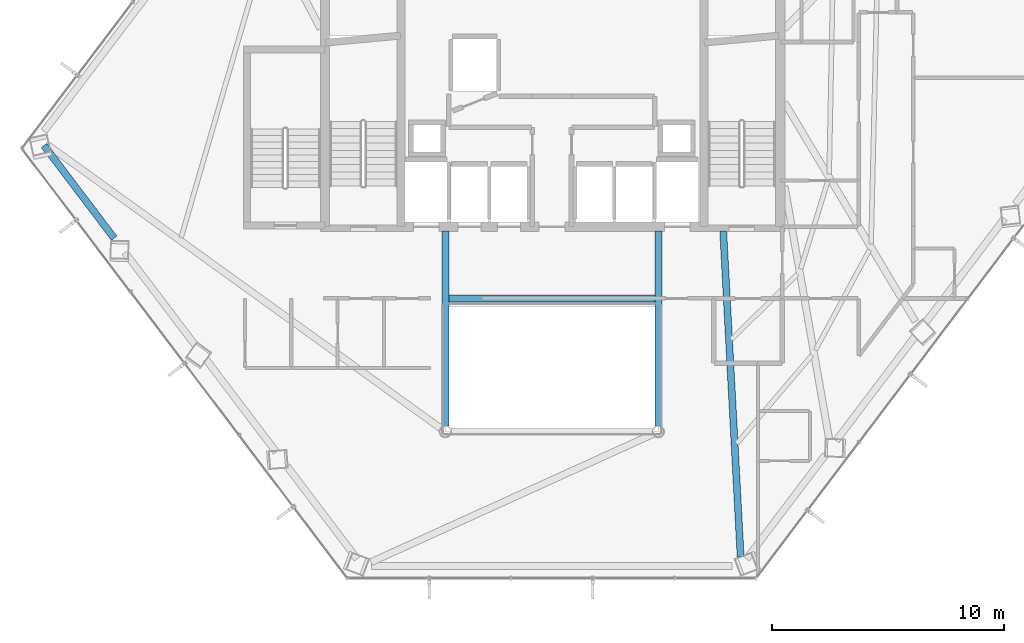
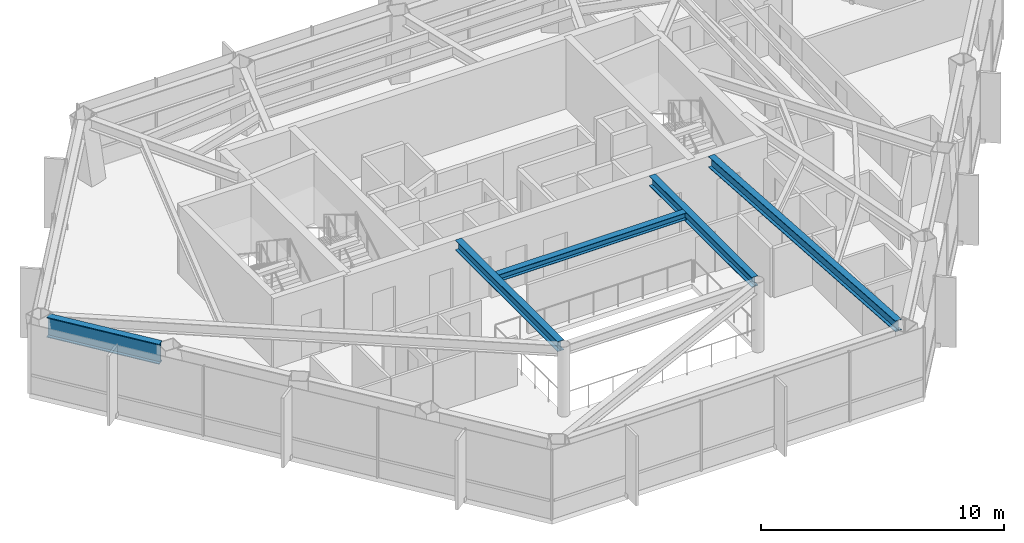
# One storey, part 9 of 30: 5 beams.
"""IFC4 building model written with IfcOpenShell, lengths in metres."""

import ifcopenshell
import ifcopenshell.guid

model = None  # the IFC model being written
_history = None  # IfcOwnerHistory: only IFC2X3 demands one
_inside = {}  # id of a spatial element -> (the spatial element, [elements in it])
_under = {}  # id of a project, library or spatial element -> (it, [spatial elements below it])
_declared = {}  # id of a project -> (the project, [libraries it declares])
_typed = {}  # id of a type object -> (the type object, [elements of that type])
_made_of = {}  # id of a material, layer set ... -> (it, [elements and type objects made of it])


def new_model(schema):
    """Start an empty IFC model of exactly this schema.

    Asked for "IFC4X3", IfcOpenShell would pick the latest addendum, in which some entities
    have other attributes; the version numbers below select the first issue.
    IFC2X3 requires an IfcOwnerHistory on every rooted entity: one is made here for all.
    """
    global model, _history
    if schema == "IFC4X3":
        model = ifcopenshell.file(schema_version=(4, 3, 0, 0))
    else:
        model = ifcopenshell.file(schema=schema)
    _inside.clear()
    _under.clear()
    _declared.clear()
    _typed.clear()
    _made_of.clear()
    _history = None
    if model.schema == "IFC2X3":
        org = make("IfcOrganization", Name="unknown")
        user = make(
            "IfcPersonAndOrganization",
            ThePerson=make("IfcPerson", FamilyName="unknown"),
            TheOrganization=org,
        )
        app = make(
            "IfcApplication",
            ApplicationDeveloper=org,
            Version="unknown",
            ApplicationFullName="unknown",
            ApplicationIdentifier="unknown",
        )
        _history = make(
            "IfcOwnerHistory",
            OwningUser=user,
            OwningApplication=app,
            ChangeAction="ADDED",
            CreationDate=0,
        )
    return model


def make(cls, **values):
    """One entity of the class cls with the attributes given. An attribute that is None is left unset."""
    return model.create_entity(
        cls, **{name: value for name, value in values.items() if value is not None}
    )


def rooted(cls, **values):
    """An entity with a GlobalId (a new one), such as an element, a storey or a relation."""
    return make(cls, GlobalId=ifcopenshell.guid.new(), OwnerHistory=_history, **values)


def si_unit(unit_type, name, prefix=None):
    """IfcSIUnit, for example si_unit("LENGTHUNIT", "METRE", prefix="MILLI")."""
    return make("IfcSIUnit", UnitType=unit_type, Prefix=prefix, Name=name)


def assignment(units):
    """IfcUnitAssignment: the units of a project."""
    return None if units is None else make("IfcUnitAssignment", Units=units)


def point(xyz):
    """IfcCartesianPoint."""
    return None if xyz is None else make("IfcCartesianPoint", Coordinates=xyz)


def direction(xyz):
    """IfcDirection."""
    return None if xyz is None else make("IfcDirection", DirectionRatios=xyz)


def frame(location, z_axis=None, x_axis=None):
    """IfcAxis2Placement3D, a coordinate frame: its origin and axes. An axis left out is left unset."""
    return make(
        "IfcAxis2Placement3D",
        Location=point(location),
        Axis=direction(z_axis),
        RefDirection=direction(x_axis),
    )


def frame_2d(location, x_axis=None):
    """IfcAxis2Placement2D, a coordinate frame in the plane: its origin and x axis."""
    return make(
        "IfcAxis2Placement2D", Location=point(location), RefDirection=direction(x_axis)
    )


def origin():
    """The frame at (0, 0, 0) with its axes left unset."""
    return frame((0.0, 0.0, 0.0))


def origin_2d():
    """The frame at (0, 0) in the plane with its x axis left unset."""
    return frame_2d((0.0, 0.0))


def place(relative_to, where):
    """IfcLocalPlacement: puts the frame where relative to a parent placement (None: the world)."""
    return make(
        "IfcLocalPlacement", PlacementRelTo=relative_to, RelativePlacement=where
    )


def context(
    kind, dimensions, precision=None, world=None, true_north=None, identifier=None
):
    """IfcGeometricRepresentationContext, for example the 3D "Model" context."""
    return make(
        "IfcGeometricRepresentationContext",
        ContextIdentifier=identifier,
        ContextType=kind,
        CoordinateSpaceDimension=dimensions,
        Precision=precision,
        WorldCoordinateSystem=world,
        TrueNorth=true_north,
    )


def subcontext(parent, identifier, kind, view, scale=None):
    """IfcGeometricRepresentationSubContext, for example "Body" below "Model"."""
    return make(
        "IfcGeometricRepresentationSubContext",
        ContextIdentifier=identifier,
        ContextType=kind,
        ParentContext=parent,
        TargetScale=scale,
        TargetView=view,
    )


def project(units=None, contexts=None):
    """IfcProject with its units and contexts."""
    return rooted(
        "IfcProject",
        Name="project",
        RepresentationContexts=contexts,
        UnitsInContext=assignment(units),
    )


def spatial(cls, under=None, at=None, **own):
    """A site, building, storey or space (cls), placed at a placement, below another one or the project."""
    s = rooted(cls, ObjectPlacement=at, **own)
    if under is not None:
        _under.setdefault(under.id(), (under, []))[1].append(s)
    return s


def profile(cls, at=None, kind="AREA", **sizes):
    """A parametric profile (cls). Its sizes go by their IFC names, for example OverallWidth=200.0."""
    return make(cls, ProfileType=kind, Position=at, **sizes)


def i_section(**sizes):
    """IfcIShapeProfileDef."""
    return profile("IfcIShapeProfileDef", **sizes)


def extrude(swept, where, along, depth):
    """IfcExtrudedAreaSolid: the profile swept, set in the frame where, extruded along a direction by depth."""
    return make(
        "IfcExtrudedAreaSolid",
        SweptArea=swept,
        Position=where,
        ExtrudedDirection=direction(along),
        Depth=depth,
    )


def shape(context_of_items, identifier, shape_type, items):
    """IfcShapeRepresentation: the items that make up one representation, for example the "Body"."""
    return make(
        "IfcShapeRepresentation",
        ContextOfItems=context_of_items,
        RepresentationIdentifier=identifier,
        RepresentationType=shape_type,
        Items=items,
    )


def material(Name=None, Category=None):
    """IfcMaterial."""
    return make("IfcMaterial", Name=Name, Category=Category)


def material_profile(
    of_material, cross_section, Name=None, Category=None, Priority=None
):
    """IfcMaterialProfile: a cross section and its material."""
    return make(
        "IfcMaterialProfile",
        Name=Name,
        Material=of_material,
        Profile=cross_section,
        Priority=Priority,
        Category=Category,
    )


def profile_set(profiles, Name=None, composite=None):
    """IfcMaterialProfileSet."""
    return make(
        "IfcMaterialProfileSet",
        Name=Name,
        MaterialProfiles=profiles,
        CompositeProfile=composite,
    )


def made_of(thing, what):
    """Note that an element or type object is made of a material, layer set ...; save() writes the relation."""
    if what is not None:
        _made_of.setdefault(what.id(), (what, []))[1].append(thing)
    return thing


def type_object(cls, material=None, **own):
    """A type object (cls), such as IfcWallType, which elements share."""
    return made_of(rooted(cls, **own), material)


def element(
    cls,
    number,
    at=None,
    inside=None,
    cuts=None,
    type_object=None,
    material=None,
    context=None,
    identifier="Body",
    shape_type=None,
    held_by="IfcProductDefinitionShape",
    body=None,
    shapes=None,
    **own,
):
    """One element of the class cls, such as IfcWall. Its Tag is "e" and its number.

    at: its placement. inside: the storey or other place that contains it. cuts: it is an
    opening in that element (IfcRelVoidsElement). A single representation is given by context,
    identifier, shape_type and body (its items); several are given by shapes. held_by: the class
    of the entity that holds the representations. save() writes the other relations.
    """
    e = rooted(cls, Tag="e%d" % number, ObjectPlacement=at, **own)
    if body is not None:
        shapes = [shape(context, identifier, shape_type, body)]
    if shapes is not None:
        e.Representation = make(held_by, Representations=shapes)
    if inside is not None:
        _inside.setdefault(inside.id(), (inside, []))[1].append(e)
    if cuts is not None:
        rooted(
            "IfcRelVoidsElement", RelatingBuildingElement=cuts, RelatedOpeningElement=e
        )
    if type_object is not None:
        _typed.setdefault(type_object.id(), (type_object, []))[1].append(e)
    return made_of(e, material)


def aggregate(whole, parts):
    """IfcRelAggregates: a whole, such as a stair, and the parts it consists of."""
    return rooted("IfcRelAggregates", RelatingObject=whole, RelatedObjects=parts)


def save(model, path):
    """Write the relations noted so far, then the file.

    IfcRelAggregates (storeys below a building ...), IfcRelContainedInSpatialStructure (elements
    in a storey), IfcRelDefinesByType, IfcRelAssociatesMaterial and IfcRelDeclares: one each for
    every whole, place, type object, material and project.
    """
    for whole, parts in _under.values():
        aggregate(whole, parts)
    for where, things in _inside.values():
        rooted(
            "IfcRelContainedInSpatialStructure",
            RelatedElements=things,
            RelatingStructure=where,
        )
    for kind, things in _typed.values():
        rooted("IfcRelDefinesByType", RelatedObjects=things, RelatingType=kind)
    for what, things in _made_of.values():
        rooted("IfcRelAssociatesMaterial", RelatedObjects=things, RelatingMaterial=what)
    for by, libraries in _declared.values():
        rooted("IfcRelDeclares", RelatingContext=by, RelatedDefinitions=libraries)
    model.write(path)


model = new_model("IFC4")

# Units and contexts
model_context = context("Model", 3, precision=1e-05, world=origin(), true_north=direction((0.0, 1.0)))
body_context = subcontext(model_context, "Body", "Model", "MODEL_VIEW")
ifc_project = project(units=[si_unit("LENGTHUNIT", "METRE"), si_unit("AREAUNIT", "SQUARE_METRE"), si_unit("VOLUMEUNIT", "CUBIC_METRE"), si_unit("PLANEANGLEUNIT", "RADIAN"), si_unit("MASSUNIT", "GRAM", prefix="KILO")], contexts=[model_context])

# Site, building, storey
site_placement = place(None, origin())
site = spatial("IfcSite", under=ifc_project, at=site_placement, CompositionType="ELEMENT")
building_placement = place(site_placement, origin())
building = spatial("IfcBuilding", under=site, at=building_placement, Name="Zarrinselat Tower", CompositionType="ELEMENT")
storey_placement = place(building_placement, frame((0.0, 0.0, 130.89990234375)))
storey = spatial("IfcBuildingStorey", under=building, at=storey_placement, Name="L31", CompositionType="ELEMENT", Elevation=130.89990234375)

# Beams
ifc_material_1 = material(Name="Steel S355J2", Category="steel")
ifc_material_profile_1 = material_profile(ifc_material_1, i_section(OverallWidth=0.300048828125, OverallDepth=0.35009765625, WebThickness=0.010009765625, FlangeThickness=0.017578125, at=origin_2d()), Name="HEA 360")
ifc_profile_set_1 = profile_set([ifc_material_profile_1], Name="Steel S355J2")
beam_type_1 = type_object("IfcBeamType", Name="BM-HEA360", PredefinedType="LINTEL", material=ifc_profile_set_1)
beam_1_placement = place(storey_placement, frame((33.93994140625, 30.14990234375, 3.3251953125), z_axis=(1.0, 0.0, 0.0), x_axis=(0.0, 1.0, 0.0)))
element("IfcBeam", 1, at=beam_1_placement, inside=storey, type_object=beam_type_1, Name="L31 Lift Lobby Ceiling Beam", PredefinedType="LINTEL", context=body_context, shape_type="SweptSolid", body=[
    extrude(i_section(OverallWidth=0.300048828125, OverallDepth=0.35009765625, WebThickness=0.010009765625, FlangeThickness=0.017578125, at=origin_2d()), origin(), (0.0, 0.0, 1.0), 8.920166015625),
])
ifc_material_2 = material(Name="Steel S355J2", Category="steel")
ifc_material_profile_2 = material_profile(ifc_material_2, i_section(OverallWidth=0.300048828125, OverallDepth=0.5, WebThickness=0.014404296875, FlangeThickness=0.028076171875, at=origin_2d()), Name="HEB 500")
ifc_profile_set_2 = profile_set([ifc_material_profile_2], Name="Steel S355J2")
beam_type_2 = type_object("IfcBeamType", Name="BM-HEB500", PredefinedType="BEAM", material=ifc_profile_set_2)
for number, where, z_axis, x_axis, name in (
    (2, (33.800048828125, 24.639892578125, 3.25), (0.0, 1.0, 0.0), (-1.0, 0.0, 0.0), "L31 Atrium Edge Beam W"),
    (3, (43.0, 24.639892578125, 3.25), (0.0, 1.0, 0.0), (-1.0, 0.0, 0.0), "L31 Atrium Edge Beam E"),
):
    element("IfcBeam", number, at=place(storey_placement, frame(where, z_axis=z_axis, x_axis=x_axis)), inside=storey, type_object=beam_type_2, Name=name, PredefinedType="BEAM", context=body_context, shape_type="SweptSolid", body=[
        extrude(i_section(OverallWidth=0.300048828125, OverallDepth=0.5, WebThickness=0.014404296875, FlangeThickness=0.028076171875, at=origin_2d()), origin(), (0.0, 0.0, 1.0), 8.420166015625),
    ])
ifc_material_3 = material(Name="Steel S355J2", Category="steel")
ifc_material_profile_3 = material_profile(ifc_material_3, i_section(OverallWidth=0.300048828125, OverallDepth=0.550048828125, WebThickness=0.014892578125, FlangeThickness=0.029052734375, at=origin_2d()), Name="HEB 550")
ifc_profile_set_3 = profile_set([ifc_material_profile_3], Name="Steel S355J2")
beam_type_3 = type_object("IfcBeamType", Name="BM-HEB550", PredefinedType="BEAM", material=ifc_profile_set_3)
beam_2_placement = place(storey_placement, frame((45.800048828125, 33.06005859375, 3.22509765625), z_axis=(0.053429588566, -0.998571619397, 0.0), x_axis=(0.998571619397, 0.053429588566, 0.0)))
element("IfcBeam", 4, at=beam_2_placement, inside=storey, type_object=beam_type_3, Name="L31 Radial Primary Girder RG11", PredefinedType="BEAM", context=body_context, shape_type="SweptSolid", body=[
    extrude(i_section(OverallWidth=0.300048828125, OverallDepth=0.550048828125, WebThickness=0.014892578125, FlangeThickness=0.029052734375, at=origin_2d()), origin(), (0.0, 0.0, 1.0), 14.082763671875),
])
ifc_material_4 = material(Name="Steel S460M", Category="steel")
ifc_material_profile_4 = material_profile(ifc_material_4, i_section(OverallWidth=0.302001953125, OverallDepth=1.008056640625, WebThickness=0.02099609375, FlangeThickness=0.0400390625, at=origin_2d()), Name="HEM 1000")
ifc_profile_set_4 = profile_set([ifc_material_profile_4], Name="Steel S460M")
beam_type_4 = type_object("IfcBeamType", Name="BM-HEM1000", PredefinedType="BEAM", material=ifc_profile_set_4)
beam_3_placement = place(storey_placement, frame((16.472412109375, 36.7509765625, 2.99609375), z_axis=(0.603840817035, -0.797104928904, 0.0), x_axis=(0.797104928904, 0.603840817035, 0.0)))
element("IfcBeam", 5, at=beam_3_placement, inside=storey, type_object=beam_type_4, Name="L31 Perimeter Spandrel Girder SP06", PredefinedType="BEAM", context=body_context, shape_type="SweptSolid", body=[
    extrude(i_section(OverallWidth=0.302001953125, OverallDepth=1.008056640625, WebThickness=0.02099609375, FlangeThickness=0.0400390625, at=origin_2d()), origin(), (0.0, 0.0, 1.0), 5.01513671875),
])

save(model, "model.ifc")
